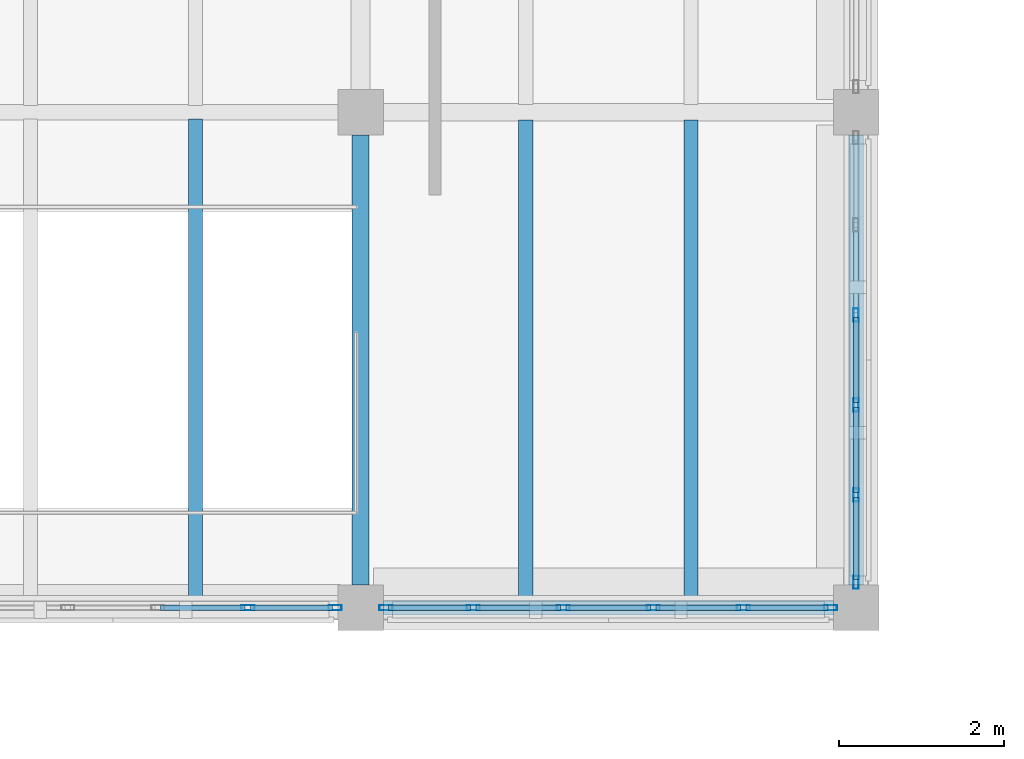
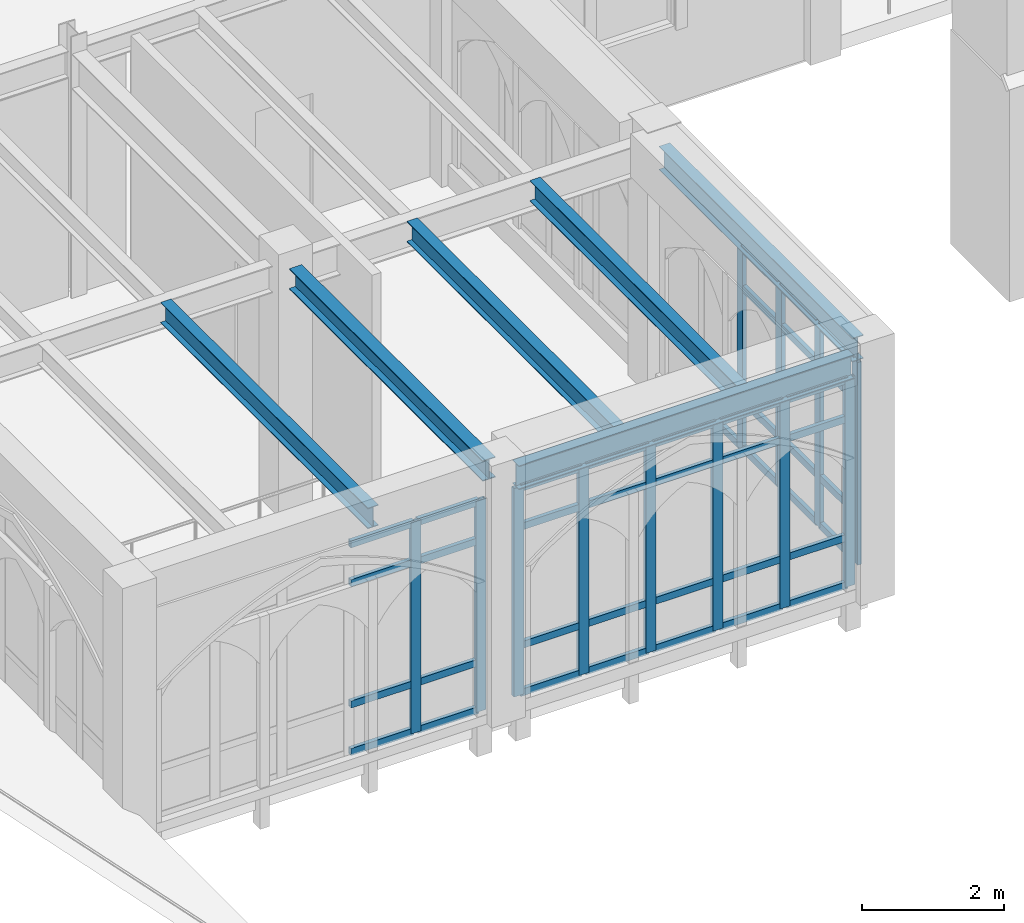
# One storey, part 34 of 108: 53 members, 6 beams, 3 elements without a shape of their own.
"""IFC4 building model written with IfcOpenShell, lengths in metres."""

from ifc_helpers import new_model, si_unit, direction, frame, origin, origin_2d, place, context, subcontext, project, spatial, hollow_rectangle, i_section, extrude, material, layer, layer_set, material_profile, profile_set, type_object, element, aggregate, save


model = new_model("IFC4")

# Units and contexts
model_context = context("Model", 3, precision=1e-05, world=origin(), true_north=direction((0.0, 1.0)))
body_context = subcontext(model_context, "Body", "Model", "MODEL_VIEW")
ifc_project = project(units=[si_unit("LENGTHUNIT", "METRE"), si_unit("AREAUNIT", "SQUARE_METRE"), si_unit("VOLUMEUNIT", "CUBIC_METRE"), si_unit("PLANEANGLEUNIT", "RADIAN"), si_unit("MASSUNIT", "GRAM", prefix="KILO")], contexts=[model_context])

# Site, building, storey
site_placement = place(None, origin())
site = spatial("IfcSite", under=ifc_project, at=site_placement, CompositionType="ELEMENT")
building_placement = place(site_placement, origin())
building = spatial("IfcBuilding", under=site, at=building_placement, Name="Cumevento Cable Car Station", CompositionType="ELEMENT")
storey_placement = place(building_placement, frame((0.0, 0.0, 13.5)))
storey = spatial("IfcBuildingStorey", under=building, at=storey_placement, Name="L04", CompositionType="ELEMENT", Elevation=13.5)

# Curtain wall, members
ifc_material_1 = material(Name="Anodised Bronze Aluminium AW-6063-T6", Category="aluminium")
ifc_layer_1 = layer(ifc_material_1, 0.159912109375)
ifc_layer_set_1 = layer_set([ifc_layer_1], Name="Anodised Bronze Aluminium AW-6063-T6")
curtain_wall_type_1 = type_object("IfcCurtainWallType", Name="Lancet Curtain Wall CW-01 1050", PredefinedType="NOTDEFINED", material=ifc_layer_set_1)
curtain_wall_1_placement = place(storey_placement, origin())
curtain_wall_1 = element("IfcCurtainWall", 1, at=curtain_wall_1_placement, inside=storey, type_object=curtain_wall_type_1, Name="Lancet Curtain Wall CW-01 L04 #144", PredefinedType="NOTDEFINED")
ifc_material_2 = material(Name="Anodised Bronze Aluminium AW-6063-T6", Category="aluminium")
ifc_material_profile_1 = material_profile(ifc_material_2, hollow_rectangle(XDim=0.06494140625, YDim=0.159912109375, WallThickness=0.00390625, at=origin_2d()), Name="ALUM65x160x4")
ifc_profile_set_1 = profile_set([ifc_material_profile_1], Name="Anodised Bronze Aluminium AW-6063-T6")
member_type_1 = type_object("IfcMemberType", Name="Curtain Mullion CWM-01 ALUM65x160x4", PredefinedType="MULLION", material=ifc_profile_set_1)
member_1_placement = place(storey_placement, frame((75.6923828125, 33.0, 0.159912109375), z_axis=(0.0, 0.0, 1.0), x_axis=(0.0, -1.0, 0.0)))
member_1 = element("IfcMember", 2, at=member_1_placement, type_object=member_type_1, Name="CW-01 mullion 1", PredefinedType="MULLION", context=body_context, shape_type="SweptSolid", body=[
    extrude(hollow_rectangle(XDim=0.06494140625, YDim=0.159912109375, WallThickness=0.00390625, at=origin_2d()), origin(), (0.0, 0.0, 1.0), 3.63720703125),
])
member_2_placement = place(storey_placement, frame((74.635009765625, 33.0, 0.159912109375), z_axis=(0.0, 0.0, 1.0), x_axis=(0.0, -1.0, 0.0)))
member_2 = element("IfcMember", 3, at=member_2_placement, type_object=member_type_1, Name="CW-01 mullion 2", PredefinedType="MULLION", context=body_context, shape_type="SweptSolid", body=[
    extrude(hollow_rectangle(XDim=0.06494140625, YDim=0.159912109375, WallThickness=0.00390625, at=origin_2d()), origin(), (0.0, 0.0, 1.0), 3.63720703125),
])

ifc_material_3 = material(Name="Anodised Bronze Aluminium AW-6063-T6", Category="aluminium")
ifc_layer_2 = layer(ifc_material_3, 0.166015625)
ifc_layer_set_2 = layer_set([ifc_layer_2], Name="Anodised Bronze Aluminium AW-6063-T6")
curtain_wall_type_2 = type_object("IfcCurtainWallType", Name="Lancet Curtain Wall CW-02 1090", PredefinedType="NOTDEFINED", material=ifc_layer_set_2)
curtain_wall_2_placement = place(storey_placement, origin())
curtain_wall_2 = element("IfcCurtainWall", 4, at=curtain_wall_2_placement, inside=storey, type_object=curtain_wall_type_2, Name="Lancet Curtain Wall CW-02 L04 #145", PredefinedType="NOTDEFINED")
member_3_placement = place(storey_placement, frame((81.6923828125, 33.0, 0.2099609375), z_axis=(0.0, 0.0, 1.0), x_axis=(0.0, -1.0, 0.0)))
member_3 = element("IfcMember", 5, at=member_3_placement, type_object=member_type_1, Name="CW-02 mullion 1", PredefinedType="MULLION", context=body_context, shape_type="SweptSolid", body=[
    extrude(hollow_rectangle(XDim=0.06494140625, YDim=0.159912109375, WallThickness=0.00390625, at=origin_2d()), origin(), (0.0, 0.0, 1.0), 3.587158203125),
])
member_4_placement = place(storey_placement, frame((80.635009765625, 33.0, 0.2099609375), z_axis=(0.0, 0.0, 1.0), x_axis=(0.0, -1.0, 0.0)))
member_4 = element("IfcMember", 6, at=member_4_placement, type_object=member_type_1, Name="CW-02 mullion 2", PredefinedType="MULLION", context=body_context, shape_type="SweptSolid", body=[
    extrude(hollow_rectangle(XDim=0.06494140625, YDim=0.159912109375, WallThickness=0.00390625, at=origin_2d()), origin(), (0.0, 0.0, 1.0), 3.587158203125),
])
member_5_placement = place(storey_placement, frame((79.544921875, 33.0, 0.2099609375), z_axis=(0.0, 0.0, 1.0), x_axis=(0.0, -1.0, 0.0)))
member_5 = element("IfcMember", 7, at=member_5_placement, type_object=member_type_1, Name="CW-02 mullion 3", PredefinedType="MULLION", context=body_context, shape_type="SweptSolid", body=[
    extrude(hollow_rectangle(XDim=0.06494140625, YDim=0.159912109375, WallThickness=0.00390625, at=origin_2d()), origin(), (0.0, 0.0, 1.0), 3.587158203125),
])
member_6_placement = place(storey_placement, frame((78.455078125, 33.0, 0.2099609375), z_axis=(0.0, 0.0, 1.0), x_axis=(0.0, -1.0, 0.0)))
member_6 = element("IfcMember", 8, at=member_6_placement, type_object=member_type_1, Name="CW-02 mullion 4", PredefinedType="MULLION", context=body_context, shape_type="SweptSolid", body=[
    extrude(hollow_rectangle(XDim=0.06494140625, YDim=0.159912109375, WallThickness=0.00390625, at=origin_2d()), origin(), (0.0, 0.0, 1.0), 3.587158203125),
])
member_7_placement = place(storey_placement, frame((77.364990234375, 33.0, 0.2099609375), z_axis=(0.0, 0.0, 1.0), x_axis=(0.0, -1.0, 0.0)))
member_7 = element("IfcMember", 9, at=member_7_placement, type_object=member_type_1, Name="CW-02 mullion 5", PredefinedType="MULLION", context=body_context, shape_type="SweptSolid", body=[
    extrude(hollow_rectangle(XDim=0.06494140625, YDim=0.159912109375, WallThickness=0.00390625, at=origin_2d()), origin(), (0.0, 0.0, 1.0), 3.587158203125),
])
member_8_placement = place(storey_placement, frame((76.3076171875, 33.0, 0.2099609375), z_axis=(0.0, 0.0, 1.0), x_axis=(0.0, -1.0, 0.0)))
member_8 = element("IfcMember", 10, at=member_8_placement, type_object=member_type_1, Name="CW-02 mullion 6", PredefinedType="MULLION", context=body_context, shape_type="SweptSolid", body=[
    extrude(hollow_rectangle(XDim=0.06494140625, YDim=0.159912109375, WallThickness=0.00390625, at=origin_2d()), origin(), (0.0, 0.0, 1.0), 3.587158203125),
])

ifc_material_4 = material(Name="Anodised Bronze Aluminium AW-6063-T6", Category="aluminium")
ifc_layer_3 = layer(ifc_material_4, 0.177978515625)
ifc_layer_set_3 = layer_set([ifc_layer_3], Name="Anodised Bronze Aluminium AW-6063-T6")
curtain_wall_type_3 = type_object("IfcCurtainWallType", Name="Lancet Curtain Wall CW-04 1170", PredefinedType="NOTDEFINED", material=ifc_layer_set_3)
curtain_wall_3_placement = place(storey_placement, origin())
curtain_wall_3 = element("IfcCurtainWall", 11, at=curtain_wall_3_placement, inside=storey, type_object=curtain_wall_type_3, Name="Lancet Curtain Wall CW-04 L04 #147", PredefinedType="NOTDEFINED")
member_9_placement = place(storey_placement, frame((82.0, 36.544921875, 0.31005859375), z_axis=(0.0, 0.0, 1.0), x_axis=(1.0, 0.0, 0.0)))
member_9 = element("IfcMember", 12, at=member_9_placement, type_object=member_type_1, Name="CW-04 mullion 3", PredefinedType="MULLION", context=body_context, shape_type="SweptSolid", body=[
    extrude(hollow_rectangle(XDim=0.06494140625, YDim=0.159912109375, WallThickness=0.00390625, at=origin_2d()), origin(), (0.0, 0.0, 1.0), 3.487060546875),
])
member_10_placement = place(storey_placement, frame((82.0, 35.455078125, 0.31005859375), z_axis=(0.0, 0.0, 1.0), x_axis=(1.0, 0.0, 0.0)))
member_10 = element("IfcMember", 13, at=member_10_placement, type_object=member_type_1, Name="CW-04 mullion 4", PredefinedType="MULLION", context=body_context, shape_type="SweptSolid", body=[
    extrude(hollow_rectangle(XDim=0.06494140625, YDim=0.159912109375, WallThickness=0.00390625, at=origin_2d()), origin(), (0.0, 0.0, 1.0), 3.487060546875),
])
member_11_placement = place(storey_placement, frame((82.0, 34.364990234375, 0.31005859375), z_axis=(0.0, 0.0, 1.0), x_axis=(1.0, 0.0, 0.0)))
member_11 = element("IfcMember", 14, at=member_11_placement, type_object=member_type_1, Name="CW-04 mullion 5", PredefinedType="MULLION", context=body_context, shape_type="SweptSolid", body=[
    extrude(hollow_rectangle(XDim=0.06494140625, YDim=0.159912109375, WallThickness=0.00390625, at=origin_2d()), origin(), (0.0, 0.0, 1.0), 3.487060546875),
])
member_12_placement = place(storey_placement, frame((82.0, 33.3076171875, 0.31005859375), z_axis=(0.0, 0.0, 1.0), x_axis=(1.0, 0.0, 0.0)))
member_12 = element("IfcMember", 15, at=member_12_placement, type_object=member_type_1, Name="CW-04 mullion 6", PredefinedType="MULLION", context=body_context, shape_type="SweptSolid", body=[
    extrude(hollow_rectangle(XDim=0.06494140625, YDim=0.159912109375, WallThickness=0.00390625, at=origin_2d()), origin(), (0.0, 0.0, 1.0), 3.487060546875),
])

# Member
ifc_material_5 = material(Name="Anodised Bronze Aluminium AW-6063-T6", Category="aluminium")
ifc_material_profile_2 = material_profile(ifc_material_5, hollow_rectangle(XDim=0.06494140625, YDim=0.1201171875, WallThickness=0.00390625, at=origin_2d()), Name="ALUT65x120x4")
ifc_profile_set_2 = profile_set([ifc_material_profile_2], Name="Anodised Bronze Aluminium AW-6063-T6")
member_type_2 = type_object("IfcMemberType", Name="Curtain Transom CWT-01 ALUT65x120x4", PredefinedType="USERDEFINED", material=ifc_profile_set_2)
member_13_placement = place(storey_placement, frame((75.659912109375, 33.0, 0.1923828125), z_axis=(-1.0, 0.0, 0.0), x_axis=(0.0, -1.0, 0.0)))
member_13 = element("IfcMember", 16, at=member_13_placement, type_object=member_type_2, Name="CW-01 transom 1.1", ObjectType="TRANSOM", PredefinedType="USERDEFINED", context=body_context, shape_type="SweptSolid", body=[
    extrude(hollow_rectangle(XDim=0.06494140625, YDim=0.1201171875, WallThickness=0.00390625, at=origin_2d()), origin(), (0.0, 0.0, 1.0), 0.992431640625),
])

member_14_placement = place(storey_placement, frame((75.659912109375, 33.0, 1.010009765625), z_axis=(-1.0, 0.0, 0.0), x_axis=(0.0, -1.0, 0.0)))
member_14 = element("IfcMember", 17, at=member_14_placement, type_object=member_type_2, Name="CW-01 transom 1.2", ObjectType="TRANSOM", PredefinedType="USERDEFINED", context=body_context, shape_type="SweptSolid", body=[
    extrude(hollow_rectangle(XDim=0.06494140625, YDim=0.1201171875, WallThickness=0.00390625, at=origin_2d()), origin(), (0.0, 0.0, 1.0), 0.992431640625),
])

member_15_placement = place(storey_placement, frame((75.659912109375, 33.0, 3.096923828125), z_axis=(-1.0, 0.0, 0.0), x_axis=(0.0, -1.0, 0.0)))
member_15 = element("IfcMember", 18, at=member_15_placement, type_object=member_type_2, Name="CW-01 transom 1.3", ObjectType="TRANSOM", PredefinedType="USERDEFINED", context=body_context, shape_type="SweptSolid", body=[
    extrude(hollow_rectangle(XDim=0.06494140625, YDim=0.1201171875, WallThickness=0.00390625, at=origin_2d()), origin(), (0.0, 0.0, 1.0), 0.992431640625),
])

member_16_placement = place(storey_placement, frame((75.659912109375, 33.0, 3.764404296875), z_axis=(-1.0, 0.0, 0.0), x_axis=(0.0, -1.0, 0.0)))
member_16 = element("IfcMember", 19, at=member_16_placement, type_object=member_type_2, Name="CW-01 transom 1.4", ObjectType="TRANSOM", PredefinedType="USERDEFINED", context=body_context, shape_type="SweptSolid", body=[
    extrude(hollow_rectangle(XDim=0.06494140625, YDim=0.1201171875, WallThickness=0.00390625, at=origin_2d()), origin(), (0.0, 0.0, 1.0), 0.992431640625),
])

member_17_placement = place(storey_placement, frame((74.6025390625, 33.0, 0.1923828125), z_axis=(-1.0, 0.0, 0.0), x_axis=(0.0, -1.0, 0.0)))
member_17 = element("IfcMember", 20, at=member_17_placement, type_object=member_type_2, Name="CW-01 transom 2.1", ObjectType="TRANSOM", PredefinedType="USERDEFINED", context=body_context, shape_type="SweptSolid", body=[
    extrude(hollow_rectangle(XDim=0.06494140625, YDim=0.1201171875, WallThickness=0.00390625, at=origin_2d()), origin(), (0.0, 0.0, 1.0), 1.025146484375),
])

member_18_placement = place(storey_placement, frame((74.6025390625, 33.0, 1.010009765625), z_axis=(-1.0, 0.0, 0.0), x_axis=(0.0, -1.0, 0.0)))
member_18 = element("IfcMember", 21, at=member_18_placement, type_object=member_type_2, Name="CW-01 transom 2.2", ObjectType="TRANSOM", PredefinedType="USERDEFINED", context=body_context, shape_type="SweptSolid", body=[
    extrude(hollow_rectangle(XDim=0.06494140625, YDim=0.1201171875, WallThickness=0.00390625, at=origin_2d()), origin(), (0.0, 0.0, 1.0), 1.025146484375),
])

member_19_placement = place(storey_placement, frame((74.6025390625, 33.0, 3.096923828125), z_axis=(-1.0, 0.0, 0.0), x_axis=(0.0, -1.0, 0.0)))
member_19 = element("IfcMember", 22, at=member_19_placement, type_object=member_type_2, Name="CW-01 transom 2.3", ObjectType="TRANSOM", PredefinedType="USERDEFINED", context=body_context, shape_type="SweptSolid", body=[
    extrude(hollow_rectangle(XDim=0.06494140625, YDim=0.1201171875, WallThickness=0.00390625, at=origin_2d()), origin(), (0.0, 0.0, 1.0), 1.025146484375),
])

member_20_placement = place(storey_placement, frame((74.6025390625, 33.0, 3.764404296875), z_axis=(-1.0, 0.0, 0.0), x_axis=(0.0, -1.0, 0.0)))
member_20 = element("IfcMember", 23, at=member_20_placement, type_object=member_type_2, Name="CW-01 transom 2.4", ObjectType="TRANSOM", PredefinedType="USERDEFINED", context=body_context, shape_type="SweptSolid", body=[
    extrude(hollow_rectangle(XDim=0.06494140625, YDim=0.1201171875, WallThickness=0.00390625, at=origin_2d()), origin(), (0.0, 0.0, 1.0), 1.025146484375),
])

aggregate(curtain_wall_1, [member_1, member_2, member_13, member_14, member_15, member_16, member_17, member_18, member_19, member_20])

member_21_placement = place(storey_placement, frame((81.659912109375, 33.0, 0.242431640625), z_axis=(-1.0, 0.0, 0.0), x_axis=(0.0, -1.0, 0.0)))
member_21 = element("IfcMember", 24, at=member_21_placement, type_object=member_type_2, Name="CW-02 transom 1.1", ObjectType="TRANSOM", PredefinedType="USERDEFINED", context=body_context, shape_type="SweptSolid", body=[
    extrude(hollow_rectangle(XDim=0.06494140625, YDim=0.1201171875, WallThickness=0.00390625, at=origin_2d()), origin(), (0.0, 0.0, 1.0), 0.992431640625),
])

member_22_placement = place(storey_placement, frame((81.659912109375, 33.0, 1.06005859375), z_axis=(-1.0, 0.0, 0.0), x_axis=(0.0, -1.0, 0.0)))
member_22 = element("IfcMember", 25, at=member_22_placement, type_object=member_type_2, Name="CW-02 transom 1.2", ObjectType="TRANSOM", PredefinedType="USERDEFINED", context=body_context, shape_type="SweptSolid", body=[
    extrude(hollow_rectangle(XDim=0.06494140625, YDim=0.1201171875, WallThickness=0.00390625, at=origin_2d()), origin(), (0.0, 0.0, 1.0), 0.992431640625),
])

member_23_placement = place(storey_placement, frame((81.659912109375, 33.0, 3.096923828125), z_axis=(-1.0, 0.0, 0.0), x_axis=(0.0, -1.0, 0.0)))
member_23 = element("IfcMember", 26, at=member_23_placement, type_object=member_type_2, Name="CW-02 transom 1.3", ObjectType="TRANSOM", PredefinedType="USERDEFINED", context=body_context, shape_type="SweptSolid", body=[
    extrude(hollow_rectangle(XDim=0.06494140625, YDim=0.1201171875, WallThickness=0.00390625, at=origin_2d()), origin(), (0.0, 0.0, 1.0), 0.992431640625),
])

member_24_placement = place(storey_placement, frame((81.659912109375, 33.0, 3.764404296875), z_axis=(-1.0, 0.0, 0.0), x_axis=(0.0, -1.0, 0.0)))
member_24 = element("IfcMember", 27, at=member_24_placement, type_object=member_type_2, Name="CW-02 transom 1.4", ObjectType="TRANSOM", PredefinedType="USERDEFINED", context=body_context, shape_type="SweptSolid", body=[
    extrude(hollow_rectangle(XDim=0.06494140625, YDim=0.1201171875, WallThickness=0.00390625, at=origin_2d()), origin(), (0.0, 0.0, 1.0), 0.992431640625),
])

member_25_placement = place(storey_placement, frame((80.6025390625, 33.0, 0.242431640625), z_axis=(-1.0, 0.0, 0.0), x_axis=(0.0, -1.0, 0.0)))
member_25 = element("IfcMember", 28, at=member_25_placement, type_object=member_type_2, Name="CW-02 transom 2.1", ObjectType="TRANSOM", PredefinedType="USERDEFINED", context=body_context, shape_type="SweptSolid", body=[
    extrude(hollow_rectangle(XDim=0.06494140625, YDim=0.1201171875, WallThickness=0.00390625, at=origin_2d()), origin(), (0.0, 0.0, 1.0), 1.025146484375),
])

member_26_placement = place(storey_placement, frame((80.6025390625, 33.0, 1.06005859375), z_axis=(-1.0, 0.0, 0.0), x_axis=(0.0, -1.0, 0.0)))
member_26 = element("IfcMember", 29, at=member_26_placement, type_object=member_type_2, Name="CW-02 transom 2.2", ObjectType="TRANSOM", PredefinedType="USERDEFINED", context=body_context, shape_type="SweptSolid", body=[
    extrude(hollow_rectangle(XDim=0.06494140625, YDim=0.1201171875, WallThickness=0.00390625, at=origin_2d()), origin(), (0.0, 0.0, 1.0), 1.025146484375),
])

member_27_placement = place(storey_placement, frame((80.6025390625, 33.0, 3.096923828125), z_axis=(-1.0, 0.0, 0.0), x_axis=(0.0, -1.0, 0.0)))
member_27 = element("IfcMember", 30, at=member_27_placement, type_object=member_type_2, Name="CW-02 transom 2.3", ObjectType="TRANSOM", PredefinedType="USERDEFINED", context=body_context, shape_type="SweptSolid", body=[
    extrude(hollow_rectangle(XDim=0.06494140625, YDim=0.1201171875, WallThickness=0.00390625, at=origin_2d()), origin(), (0.0, 0.0, 1.0), 1.025146484375),
])

member_28_placement = place(storey_placement, frame((80.6025390625, 33.0, 3.764404296875), z_axis=(-1.0, 0.0, 0.0), x_axis=(0.0, -1.0, 0.0)))
member_28 = element("IfcMember", 31, at=member_28_placement, type_object=member_type_2, Name="CW-02 transom 2.4", ObjectType="TRANSOM", PredefinedType="USERDEFINED", context=body_context, shape_type="SweptSolid", body=[
    extrude(hollow_rectangle(XDim=0.06494140625, YDim=0.1201171875, WallThickness=0.00390625, at=origin_2d()), origin(), (0.0, 0.0, 1.0), 1.025146484375),
])

member_29_placement = place(storey_placement, frame((79.512451171875, 33.0, 0.242431640625), z_axis=(-1.0, 0.0, 0.0), x_axis=(0.0, -1.0, 0.0)))
member_29 = element("IfcMember", 32, at=member_29_placement, type_object=member_type_2, Name="CW-02 transom 3.1", ObjectType="TRANSOM", PredefinedType="USERDEFINED", context=body_context, shape_type="SweptSolid", body=[
    extrude(hollow_rectangle(XDim=0.06494140625, YDim=0.1201171875, WallThickness=0.00390625, at=origin_2d()), origin(), (0.0, 0.0, 1.0), 1.02490234375),
])

member_30_placement = place(storey_placement, frame((79.512451171875, 33.0, 1.06005859375), z_axis=(-1.0, 0.0, 0.0), x_axis=(0.0, -1.0, 0.0)))
member_30 = element("IfcMember", 33, at=member_30_placement, type_object=member_type_2, Name="CW-02 transom 3.2", ObjectType="TRANSOM", PredefinedType="USERDEFINED", context=body_context, shape_type="SweptSolid", body=[
    extrude(hollow_rectangle(XDim=0.06494140625, YDim=0.1201171875, WallThickness=0.00390625, at=origin_2d()), origin(), (0.0, 0.0, 1.0), 1.02490234375),
])

member_31_placement = place(storey_placement, frame((79.512451171875, 33.0, 3.096923828125), z_axis=(-1.0, 0.0, 0.0), x_axis=(0.0, -1.0, 0.0)))
member_31 = element("IfcMember", 34, at=member_31_placement, type_object=member_type_2, Name="CW-02 transom 3.3", ObjectType="TRANSOM", PredefinedType="USERDEFINED", context=body_context, shape_type="SweptSolid", body=[
    extrude(hollow_rectangle(XDim=0.06494140625, YDim=0.1201171875, WallThickness=0.00390625, at=origin_2d()), origin(), (0.0, 0.0, 1.0), 1.02490234375),
])

member_32_placement = place(storey_placement, frame((79.512451171875, 33.0, 3.764404296875), z_axis=(-1.0, 0.0, 0.0), x_axis=(0.0, -1.0, 0.0)))
member_32 = element("IfcMember", 35, at=member_32_placement, type_object=member_type_2, Name="CW-02 transom 3.4", ObjectType="TRANSOM", PredefinedType="USERDEFINED", context=body_context, shape_type="SweptSolid", body=[
    extrude(hollow_rectangle(XDim=0.06494140625, YDim=0.1201171875, WallThickness=0.00390625, at=origin_2d()), origin(), (0.0, 0.0, 1.0), 1.02490234375),
])

member_33_placement = place(storey_placement, frame((78.422607421875, 33.0, 0.242431640625), z_axis=(-1.0, 0.0, 0.0), x_axis=(0.0, -1.0, 0.0)))
member_33 = element("IfcMember", 36, at=member_33_placement, type_object=member_type_2, Name="CW-02 transom 4.1", ObjectType="TRANSOM", PredefinedType="USERDEFINED", context=body_context, shape_type="SweptSolid", body=[
    extrude(hollow_rectangle(XDim=0.06494140625, YDim=0.1201171875, WallThickness=0.00390625, at=origin_2d()), origin(), (0.0, 0.0, 1.0), 1.025146484375),
])

member_34_placement = place(storey_placement, frame((78.422607421875, 33.0, 1.06005859375), z_axis=(-1.0, 0.0, 0.0), x_axis=(0.0, -1.0, 0.0)))
member_34 = element("IfcMember", 37, at=member_34_placement, type_object=member_type_2, Name="CW-02 transom 4.2", ObjectType="TRANSOM", PredefinedType="USERDEFINED", context=body_context, shape_type="SweptSolid", body=[
    extrude(hollow_rectangle(XDim=0.06494140625, YDim=0.1201171875, WallThickness=0.00390625, at=origin_2d()), origin(), (0.0, 0.0, 1.0), 1.025146484375),
])

member_35_placement = place(storey_placement, frame((78.422607421875, 33.0, 3.096923828125), z_axis=(-1.0, 0.0, 0.0), x_axis=(0.0, -1.0, 0.0)))
member_35 = element("IfcMember", 38, at=member_35_placement, type_object=member_type_2, Name="CW-02 transom 4.3", ObjectType="TRANSOM", PredefinedType="USERDEFINED", context=body_context, shape_type="SweptSolid", body=[
    extrude(hollow_rectangle(XDim=0.06494140625, YDim=0.1201171875, WallThickness=0.00390625, at=origin_2d()), origin(), (0.0, 0.0, 1.0), 1.025146484375),
])

member_36_placement = place(storey_placement, frame((78.422607421875, 33.0, 3.764404296875), z_axis=(-1.0, 0.0, 0.0), x_axis=(0.0, -1.0, 0.0)))
member_36 = element("IfcMember", 39, at=member_36_placement, type_object=member_type_2, Name="CW-02 transom 4.4", ObjectType="TRANSOM", PredefinedType="USERDEFINED", context=body_context, shape_type="SweptSolid", body=[
    extrude(hollow_rectangle(XDim=0.06494140625, YDim=0.1201171875, WallThickness=0.00390625, at=origin_2d()), origin(), (0.0, 0.0, 1.0), 1.025146484375),
])

member_37_placement = place(storey_placement, frame((77.33251953125, 33.0, 0.242431640625), z_axis=(-1.0, 0.0, 0.0), x_axis=(0.0, -1.0, 0.0)))
member_37 = element("IfcMember", 40, at=member_37_placement, type_object=member_type_2, Name="CW-02 transom 5.1", ObjectType="TRANSOM", PredefinedType="USERDEFINED", context=body_context, shape_type="SweptSolid", body=[
    extrude(hollow_rectangle(XDim=0.06494140625, YDim=0.1201171875, WallThickness=0.00390625, at=origin_2d()), origin(), (0.0, 0.0, 1.0), 0.992431640625),
])

member_38_placement = place(storey_placement, frame((77.33251953125, 33.0, 1.06005859375), z_axis=(-1.0, 0.0, 0.0), x_axis=(0.0, -1.0, 0.0)))
member_38 = element("IfcMember", 41, at=member_38_placement, type_object=member_type_2, Name="CW-02 transom 5.2", ObjectType="TRANSOM", PredefinedType="USERDEFINED", context=body_context, shape_type="SweptSolid", body=[
    extrude(hollow_rectangle(XDim=0.06494140625, YDim=0.1201171875, WallThickness=0.00390625, at=origin_2d()), origin(), (0.0, 0.0, 1.0), 0.992431640625),
])

member_39_placement = place(storey_placement, frame((77.33251953125, 33.0, 3.096923828125), z_axis=(-1.0, 0.0, 0.0), x_axis=(0.0, -1.0, 0.0)))
member_39 = element("IfcMember", 42, at=member_39_placement, type_object=member_type_2, Name="CW-02 transom 5.3", ObjectType="TRANSOM", PredefinedType="USERDEFINED", context=body_context, shape_type="SweptSolid", body=[
    extrude(hollow_rectangle(XDim=0.06494140625, YDim=0.1201171875, WallThickness=0.00390625, at=origin_2d()), origin(), (0.0, 0.0, 1.0), 0.992431640625),
])

member_40_placement = place(storey_placement, frame((77.33251953125, 33.0, 3.764404296875), z_axis=(-1.0, 0.0, 0.0), x_axis=(0.0, -1.0, 0.0)))
member_40 = element("IfcMember", 43, at=member_40_placement, type_object=member_type_2, Name="CW-02 transom 5.4", ObjectType="TRANSOM", PredefinedType="USERDEFINED", context=body_context, shape_type="SweptSolid", body=[
    extrude(hollow_rectangle(XDim=0.06494140625, YDim=0.1201171875, WallThickness=0.00390625, at=origin_2d()), origin(), (0.0, 0.0, 1.0), 0.992431640625),
])

aggregate(curtain_wall_2, [member_3, member_4, member_5, member_6, member_7, member_8, member_21, member_22, member_23, member_24, member_25, member_26, member_27, member_28, member_29, member_30, member_31, member_32, member_33, member_34, member_35, member_36, member_37, member_38, member_39, member_40])

member_41_placement = place(storey_placement, frame((82.0, 37.6025390625, 0.342529296875), z_axis=(0.0, -1.0, 0.0), x_axis=(1.0, 0.0, 0.0)))
member_41 = element("IfcMember", 44, at=member_41_placement, type_object=member_type_2, Name="CW-04 transom 2.1", ObjectType="TRANSOM", PredefinedType="USERDEFINED", context=body_context, shape_type="SweptSolid", body=[
    extrude(hollow_rectangle(XDim=0.06494140625, YDim=0.1201171875, WallThickness=0.00390625, at=origin_2d()), origin(), (0.0, 0.0, 1.0), 1.025146484375),
])

member_42_placement = place(storey_placement, frame((82.0, 36.512451171875, 0.342529296875), z_axis=(0.0, -1.0, 0.0), x_axis=(1.0, 0.0, 0.0)))
member_42 = element("IfcMember", 45, at=member_42_placement, type_object=member_type_2, Name="CW-04 transom 3.1", ObjectType="TRANSOM", PredefinedType="USERDEFINED", context=body_context, shape_type="SweptSolid", body=[
    extrude(hollow_rectangle(XDim=0.06494140625, YDim=0.1201171875, WallThickness=0.00390625, at=origin_2d()), origin(), (0.0, 0.0, 1.0), 1.02490234375),
])

member_43_placement = place(storey_placement, frame((82.0, 36.512451171875, 1.159912109375), z_axis=(0.0, -1.0, 0.0), x_axis=(1.0, 0.0, 0.0)))
member_43 = element("IfcMember", 46, at=member_43_placement, type_object=member_type_2, Name="CW-04 transom 3.2", ObjectType="TRANSOM", PredefinedType="USERDEFINED", context=body_context, shape_type="SweptSolid", body=[
    extrude(hollow_rectangle(XDim=0.06494140625, YDim=0.1201171875, WallThickness=0.00390625, at=origin_2d()), origin(), (0.0, 0.0, 1.0), 1.02490234375),
])

member_44_placement = place(storey_placement, frame((82.0, 36.512451171875, 3.096923828125), z_axis=(0.0, -1.0, 0.0), x_axis=(1.0, 0.0, 0.0)))
member_44 = element("IfcMember", 47, at=member_44_placement, type_object=member_type_2, Name="CW-04 transom 3.3", ObjectType="TRANSOM", PredefinedType="USERDEFINED", context=body_context, shape_type="SweptSolid", body=[
    extrude(hollow_rectangle(XDim=0.06494140625, YDim=0.1201171875, WallThickness=0.00390625, at=origin_2d()), origin(), (0.0, 0.0, 1.0), 1.02490234375),
])

member_45_placement = place(storey_placement, frame((82.0, 36.512451171875, 3.764404296875), z_axis=(0.0, -1.0, 0.0), x_axis=(1.0, 0.0, 0.0)))
member_45 = element("IfcMember", 48, at=member_45_placement, type_object=member_type_2, Name="CW-04 transom 3.4", ObjectType="TRANSOM", PredefinedType="USERDEFINED", context=body_context, shape_type="SweptSolid", body=[
    extrude(hollow_rectangle(XDim=0.06494140625, YDim=0.1201171875, WallThickness=0.00390625, at=origin_2d()), origin(), (0.0, 0.0, 1.0), 1.02490234375),
])

member_46_placement = place(storey_placement, frame((82.0, 35.422607421875, 0.342529296875), z_axis=(0.0, -1.0, 0.0), x_axis=(1.0, 0.0, 0.0)))
member_46 = element("IfcMember", 49, at=member_46_placement, type_object=member_type_2, Name="CW-04 transom 4.1", ObjectType="TRANSOM", PredefinedType="USERDEFINED", context=body_context, shape_type="SweptSolid", body=[
    extrude(hollow_rectangle(XDim=0.06494140625, YDim=0.1201171875, WallThickness=0.00390625, at=origin_2d()), origin(), (0.0, 0.0, 1.0), 1.025146484375),
])

member_47_placement = place(storey_placement, frame((82.0, 35.422607421875, 1.159912109375), z_axis=(0.0, -1.0, 0.0), x_axis=(1.0, 0.0, 0.0)))
member_47 = element("IfcMember", 50, at=member_47_placement, type_object=member_type_2, Name="CW-04 transom 4.2", ObjectType="TRANSOM", PredefinedType="USERDEFINED", context=body_context, shape_type="SweptSolid", body=[
    extrude(hollow_rectangle(XDim=0.06494140625, YDim=0.1201171875, WallThickness=0.00390625, at=origin_2d()), origin(), (0.0, 0.0, 1.0), 1.025146484375),
])

member_48_placement = place(storey_placement, frame((82.0, 35.422607421875, 3.096923828125), z_axis=(0.0, -1.0, 0.0), x_axis=(1.0, 0.0, 0.0)))
member_48 = element("IfcMember", 51, at=member_48_placement, type_object=member_type_2, Name="CW-04 transom 4.3", ObjectType="TRANSOM", PredefinedType="USERDEFINED", context=body_context, shape_type="SweptSolid", body=[
    extrude(hollow_rectangle(XDim=0.06494140625, YDim=0.1201171875, WallThickness=0.00390625, at=origin_2d()), origin(), (0.0, 0.0, 1.0), 1.025146484375),
])

member_49_placement = place(storey_placement, frame((82.0, 35.422607421875, 3.764404296875), z_axis=(0.0, -1.0, 0.0), x_axis=(1.0, 0.0, 0.0)))
member_49 = element("IfcMember", 52, at=member_49_placement, type_object=member_type_2, Name="CW-04 transom 4.4", ObjectType="TRANSOM", PredefinedType="USERDEFINED", context=body_context, shape_type="SweptSolid", body=[
    extrude(hollow_rectangle(XDim=0.06494140625, YDim=0.1201171875, WallThickness=0.00390625, at=origin_2d()), origin(), (0.0, 0.0, 1.0), 1.025146484375),
])

member_50_placement = place(storey_placement, frame((82.0, 34.33251953125, 0.342529296875), z_axis=(0.0, -1.0, 0.0), x_axis=(1.0, 0.0, 0.0)))
member_50 = element("IfcMember", 53, at=member_50_placement, type_object=member_type_2, Name="CW-04 transom 5.1", ObjectType="TRANSOM", PredefinedType="USERDEFINED", context=body_context, shape_type="SweptSolid", body=[
    extrude(hollow_rectangle(XDim=0.06494140625, YDim=0.1201171875, WallThickness=0.00390625, at=origin_2d()), origin(), (0.0, 0.0, 1.0), 0.992431640625),
])

member_51_placement = place(storey_placement, frame((82.0, 34.33251953125, 1.159912109375), z_axis=(0.0, -1.0, 0.0), x_axis=(1.0, 0.0, 0.0)))
member_51 = element("IfcMember", 54, at=member_51_placement, type_object=member_type_2, Name="CW-04 transom 5.2", ObjectType="TRANSOM", PredefinedType="USERDEFINED", context=body_context, shape_type="SweptSolid", body=[
    extrude(hollow_rectangle(XDim=0.06494140625, YDim=0.1201171875, WallThickness=0.00390625, at=origin_2d()), origin(), (0.0, 0.0, 1.0), 0.992431640625),
])

member_52_placement = place(storey_placement, frame((82.0, 34.33251953125, 3.096923828125), z_axis=(0.0, -1.0, 0.0), x_axis=(1.0, 0.0, 0.0)))
member_52 = element("IfcMember", 55, at=member_52_placement, type_object=member_type_2, Name="CW-04 transom 5.3", ObjectType="TRANSOM", PredefinedType="USERDEFINED", context=body_context, shape_type="SweptSolid", body=[
    extrude(hollow_rectangle(XDim=0.06494140625, YDim=0.1201171875, WallThickness=0.00390625, at=origin_2d()), origin(), (0.0, 0.0, 1.0), 0.992431640625),
])

member_53_placement = place(storey_placement, frame((82.0, 34.33251953125, 3.764404296875), z_axis=(0.0, -1.0, 0.0), x_axis=(1.0, 0.0, 0.0)))
member_53 = element("IfcMember", 56, at=member_53_placement, type_object=member_type_2, Name="CW-04 transom 5.4", ObjectType="TRANSOM", PredefinedType="USERDEFINED", context=body_context, shape_type="SweptSolid", body=[
    extrude(hollow_rectangle(XDim=0.06494140625, YDim=0.1201171875, WallThickness=0.00390625, at=origin_2d()), origin(), (0.0, 0.0, 1.0), 0.992431640625),
])

aggregate(curtain_wall_3, [member_9, member_10, member_11, member_12, member_41, member_42, member_43, member_44, member_45, member_46, member_47, member_48, member_49, member_50, member_51, member_52, member_53])

# Beams
ifc_material_6 = material(Name="Steel ASTM A572 Grade 50", Category="steel")
ifc_material_profile_3 = material_profile(ifc_material_6, i_section(OverallWidth=0.205078125, OverallDepth=0.35400390625, WebThickness=0.009521484375, FlangeThickness=0.016845703125, at=origin_2d()), Name="W360x79.0")
ifc_profile_set_3 = profile_set([ifc_material_profile_3], Name="Steel ASTM A572 Grade 50")
beam_type_1 = type_object("IfcBeamType", Name="Structural Beam BM-05 W360x79.0", PredefinedType="BEAM", material=ifc_profile_set_3)
beam_1_placement = place(storey_placement, frame((76.0, 33.27490234375, 4.027099609375), z_axis=(0.0, 1.0, 0.0), x_axis=(-1.0, 0.0, 0.0)))
element("IfcBeam", 57, at=beam_1_placement, inside=storey, type_object=beam_type_1, Name="Beam BM-05 L04 #1356", PredefinedType="BEAM", context=body_context, shape_type="SweptSolid", body=[
    extrude(i_section(OverallWidth=0.205078125, OverallDepth=0.35400390625, WebThickness=0.009521484375, FlangeThickness=0.016845703125, at=origin_2d()), origin(), (0.0, 0.0, 1.0), 5.4501953125),
])
ifc_material_7 = material(Name="Steel ASTM A572 Grade 50", Category="steel")
ifc_material_profile_4 = material_profile(ifc_material_7, i_section(OverallWidth=0.1708984375, OverallDepth=0.35498046875, WebThickness=0.007080078125, FlangeThickness=0.01171875, at=origin_2d()), Name="W360x51.0")
ifc_profile_set_4 = profile_set([ifc_material_profile_4], Name="Steel ASTM A572 Grade 50")
beam_type_2 = type_object("IfcBeamType", Name="Structural Joist JS-01 W360x51.0", PredefinedType="JOIST", material=ifc_profile_set_4)
beam_2_placement = place(storey_placement, frame((74.0, 33.076904296875, 4.026611328125), z_axis=(0.0, 1.0, 0.0), x_axis=(-1.0, 0.0, 0.0)))
element("IfcBeam", 58, at=beam_2_placement, inside=storey, type_object=beam_type_2, Name="Composite Floor Joist JS-01 L04 #1498", PredefinedType="JOIST", context=body_context, shape_type="SweptSolid", body=[
    extrude(i_section(OverallWidth=0.1708984375, OverallDepth=0.35498046875, WebThickness=0.007080078125, FlangeThickness=0.01171875, at=origin_2d()), origin(), (0.0, 0.0, 1.0), 5.839111328125),
])
for number, where, z_axis, x_axis, name in (
    (59, (78.0, 33.076904296875, 4.026611328125), (0.0, 1.0, 0.0), (-1.0, 0.0, 0.0), "Composite Floor Joist JS-01 L04 #1500"),
    (60, (80.0, 33.076904296875, 4.026611328125), (0.0, 1.0, 0.0), (-1.0, 0.0, 0.0), "Composite Floor Joist JS-01 L04 #1502"),
):
    element("IfcBeam", number, at=place(storey_placement, frame(where, z_axis=z_axis, x_axis=x_axis)), inside=storey, type_object=beam_type_2, Name=name, PredefinedType="JOIST", context=body_context, shape_type="SweptSolid", body=[
        extrude(i_section(OverallWidth=0.1708984375, OverallDepth=0.35498046875, WebThickness=0.007080078125, FlangeThickness=0.01171875, at=origin_2d()), origin(), (0.0, 0.0, 1.0), 5.82958984375),
    ])
ifc_material_8 = material(Name="Steel ASTM A572 Grade 50", Category="steel")
ifc_material_profile_5 = material_profile(ifc_material_8, i_section(OverallWidth=0.177978515625, OverallDepth=0.406982421875, WebThickness=0.0078125, FlangeThickness=0.0126953125, at=origin_2d()), Name="W410x60.0")
ifc_profile_set_5 = profile_set([ifc_material_profile_5], Name="Steel ASTM A572 Grade 50")
beam_type_3 = type_object("IfcBeamType", Name="Structural Spandrel SP-01 W410x60.0", PredefinedType="SPANDREL", material=ifc_profile_set_5)
for number, where, z_axis, x_axis, name in (
    (61, (76.27490234375, 33.0, 4.00048828125), (1.0, 0.0, 0.0), (0.0, 1.0, 0.0), "Beam SP-01 L04 #1350"),
    (62, (82.0, 33.27490234375, 4.00048828125), (0.0, 1.0, 0.0), (-1.0, 0.0, 0.0), "Beam SP-01 L04 #1358"),
):
    element("IfcBeam", number, at=place(storey_placement, frame(where, z_axis=z_axis, x_axis=x_axis)), inside=storey, type_object=beam_type_3, Name=name, PredefinedType="SPANDREL", context=body_context, shape_type="SweptSolid", body=[
        extrude(i_section(OverallWidth=0.177978515625, OverallDepth=0.406982421875, WebThickness=0.0078125, FlangeThickness=0.0126953125, at=origin_2d()), origin(), (0.0, 0.0, 1.0), 5.4501953125),
    ])

save(model, "model.ifc")
